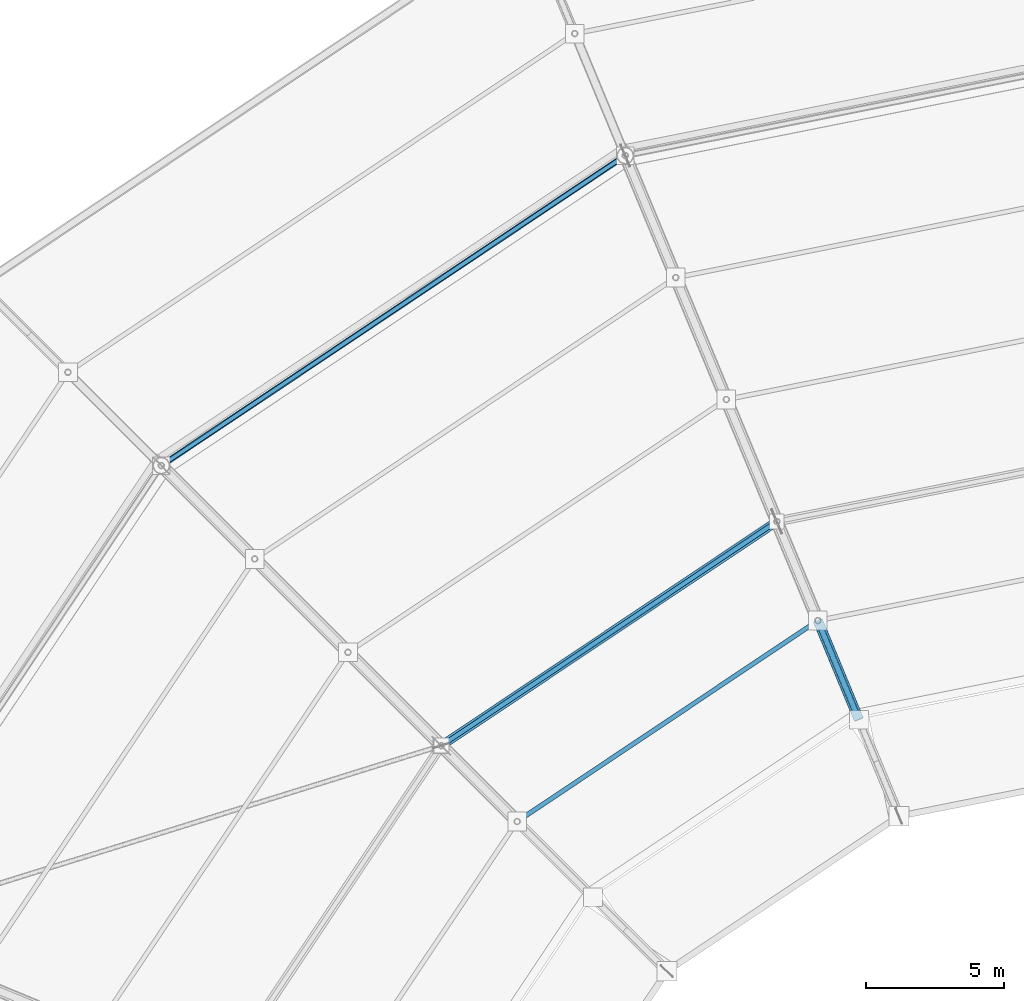
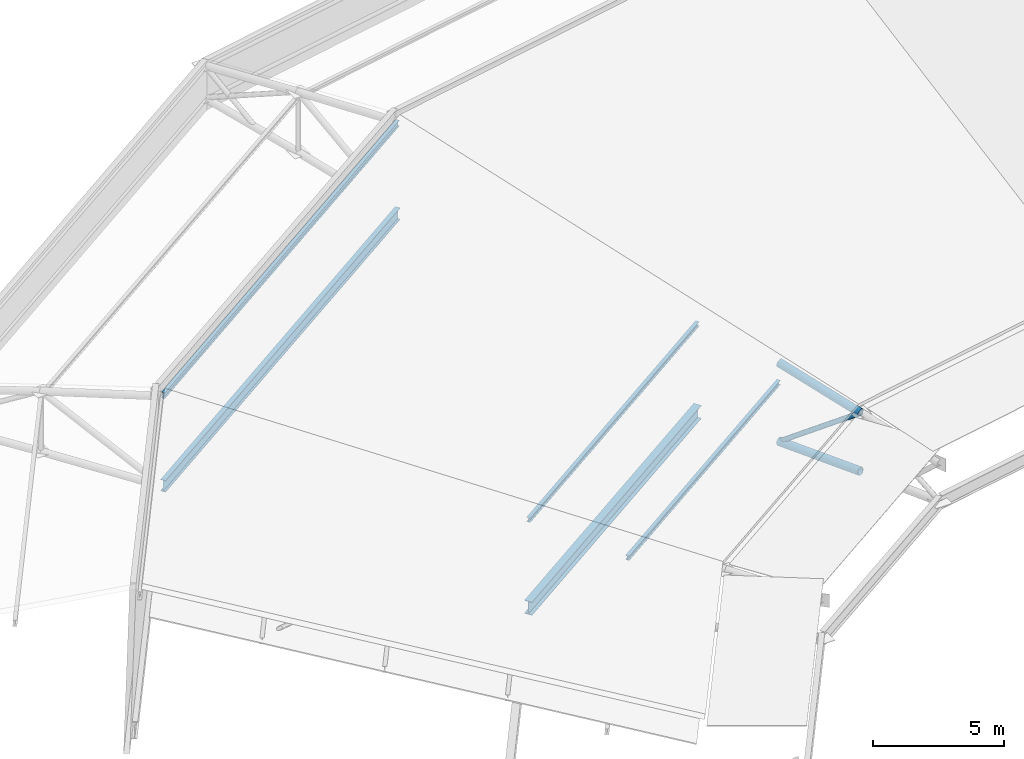
# One storey, part 51 of 146: 5 members, 3 beams.
"""IFC4 building model written with IfcOpenShell, lengths in metres."""

from ifc_helpers import new_model, si_unit, direction, frame, origin, origin_2d, place, context, subcontext, project, spatial, hollow_circle, i_section, extrude, material, material_profile, profile_set, type_object, element, save


model = new_model("IFC4")

# Units and contexts
model_context = context("Model", 3, precision=1e-05, world=origin(), true_north=direction((0.0, 1.0)))
body_context = subcontext(model_context, "Body", "Model", "MODEL_VIEW")
ifc_project = project(units=[si_unit("LENGTHUNIT", "METRE"), si_unit("AREAUNIT", "SQUARE_METRE"), si_unit("VOLUMEUNIT", "CUBIC_METRE"), si_unit("PLANEANGLEUNIT", "RADIAN"), si_unit("MASSUNIT", "GRAM", prefix="KILO")], contexts=[model_context])

# Site, building, storey
site_placement = place(None, origin())
site = spatial("IfcSite", under=ifc_project, at=site_placement, CompositionType="ELEMENT")
building_placement = place(site_placement, origin())
building = spatial("IfcBuilding", under=site, at=building_placement, Name="Candeia Ridge Stadium", CompositionType="ELEMENT")
storey_placement = place(building_placement, frame((0.0, 0.0, 31.800048828125)))
storey = spatial("IfcBuildingStorey", under=building, at=storey_placement, Name="RF", CompositionType="ELEMENT", Elevation=31.800048828125)

# Beams
ifc_material = material(Name="Steel ASTM A572 Grade 50", Category="steel")
ifc_material_profile_1 = material_profile(ifc_material, i_section(OverallWidth=0.14794921875, OverallDepth=0.26611328125, WebThickness=0.007568359375, FlangeThickness=0.012939453125, FilletRadius=0.010986328125, at=origin_2d()), Name="W250x44.8", Category="steel")
ifc_profile_set_1 = profile_set([ifc_material_profile_1], Name="Steel ASTM A572 Grade 50")
beam_type_1 = type_object("IfcBeamType", Name="Canopy Edge Spandrel W250x44.8", PredefinedType="SPANDREL", material=ifc_profile_set_1)
beam_1_placement = place(storey_placement, frame((51.067138671875, 143.01953125, 4.599853515625), z_axis=(-0.831468111774, -0.555572478713, 0.0), x_axis=(0.555572478713, -0.831468111774, 0.0)))
element("IfcBeam", 1, at=beam_1_placement, inside=storey, type_object=beam_type_1, Name="Roof crown cap ring beam bay 09", PredefinedType="SPANDREL", context=body_context, shape_type="SweptSolid", body=[
    extrude(i_section(OverallWidth=0.14794921875, OverallDepth=0.26611328125, WebThickness=0.007568359375, FlangeThickness=0.012939453125, FilletRadius=0.010986328125, at=origin_2d()), origin(), (0.0, 0.0, 1.0), 20.20947265625),
])
ifc_material_profile_2 = material_profile(ifc_material, i_section(OverallWidth=0.324951171875, OverallDepth=0.615966796875, WebThickness=0.013916015625, FlangeThickness=0.021484375, FilletRadius=0.014892578125, at=origin_2d()), Name="W610x174", Category="steel")
ifc_profile_set_2 = profile_set([ifc_material_profile_2], Name="Steel ASTM A572 Grade 50")
beam_type_2 = type_object("IfcBeamType", Name="Roof Compression Ring Beam W610x174", PredefinedType="BEAM", material=ifc_profile_set_2)
beam_2_placement = place(storey_placement, frame((56.577880859375, 129.715576171875, -2.6640625), z_axis=(-0.831470639349, -0.555568695933, 0.0), x_axis=(0.555568695933, -0.831470639349, 0.0)))
element("IfcBeam", 2, at=beam_2_placement, inside=storey, type_object=beam_type_2, Name="Roof compression ring beam bay 09", PredefinedType="BEAM", context=body_context, shape_type="SweptSolid", body=[
    extrude(i_section(OverallWidth=0.324951171875, OverallDepth=0.615966796875, WebThickness=0.013916015625, FlangeThickness=0.021484375, FilletRadius=0.014892578125, at=origin_2d()), origin(), (0.0, 0.0, 1.0), 14.5908203125),
])
ifc_material_profile_3 = material_profile(ifc_material, i_section(OverallWidth=0.2119140625, OverallDepth=0.5439453125, WebThickness=0.01318359375, FlangeThickness=0.021240234375, FilletRadius=0.013916015625, at=origin_2d()), Name="W530x123", Category="steel")
ifc_profile_set_3 = profile_set([ifc_material_profile_3], Name="Steel ASTM A572 Grade 50")
beam_type_3 = type_object("IfcBeamType", Name="Roof Perimeter Ring Beam W530x123", PredefinedType="BEAM", material=ifc_profile_set_3)
beam_3_placement = place(storey_placement, frame((51.067138671875, 143.01953125, 0.39990234375), z_axis=(-0.831468111774, -0.555572478713, 0.0), x_axis=(0.555572478713, -0.831468111774, 0.0)))
element("IfcBeam", 3, at=beam_3_placement, inside=storey, type_object=beam_type_3, Name="Roof perimeter ring beam bay 09", PredefinedType="BEAM", context=body_context, shape_type="SweptSolid", body=[
    extrude(i_section(OverallWidth=0.2119140625, OverallDepth=0.5439453125, WebThickness=0.01318359375, FlangeThickness=0.021240234375, FilletRadius=0.013916015625, at=origin_2d()), origin(), (0.0, 0.0, 1.0), 20.20947265625),
])

# Members
ifc_material_profile_4 = material_profile(ifc_material, i_section(OverallWidth=0.1650390625, OverallDepth=0.200927734375, WebThickness=0.006103515625, FlangeThickness=0.01025390625, FilletRadius=0.010009765625, at=origin_2d()), Name="W200x35.9", Category="steel")
ifc_profile_set_4 = profile_set([ifc_material_profile_4], Name="Steel ASTM A572 Grade 50")
member_type_1 = type_object("IfcMemberType", Name="Roof Purlin W200x35.9", PredefinedType="PURLIN", material=ifc_profile_set_4)
member_1_placement = place(storey_placement, frame((58.06201171875, 126.10693359375, 0.3544921875), z_axis=(-0.831465523002, -0.555576353042, 0.0), x_axis=(0.555576353042, -0.831465523002, 0.0)))
element("IfcMember", 4, at=member_1_placement, inside=storey, type_object=member_type_1, Name="Saddle roof steel purlin bay 09-1", PredefinedType="PURLIN", context=body_context, shape_type="SweptSolid", body=[
    extrude(i_section(OverallWidth=0.1650390625, OverallDepth=0.200927734375, WebThickness=0.006103515625, FlangeThickness=0.01025390625, FilletRadius=0.010009765625, at=origin_2d()), origin(), (0.0, 0.0, 1.0), 13.049072265625),
])
member_2_placement = place(storey_placement, frame((56.569580078125, 129.710205078125, 1.416015625), z_axis=(-0.831467264983, -0.555573746016, 0.0), x_axis=(0.555573746016, -0.831467264983, 0.0)))
element("IfcMember", 5, at=member_2_placement, inside=storey, type_object=member_type_1, Name="Saddle roof steel purlin bay 09-2", PredefinedType="PURLIN", context=body_context, shape_type="SweptSolid", body=[
    extrude(i_section(OverallWidth=0.1650390625, OverallDepth=0.200927734375, WebThickness=0.006103515625, FlangeThickness=0.01025390625, FilletRadius=0.010009765625, at=origin_2d()), origin(), (0.0, 0.0, 1.0), 14.57080078125),
])
ifc_material_profile_5 = material_profile(ifc_material, hollow_circle(Radius=0.109619140625, WallThickness=0.010009765625, at=origin_2d()), Name="CHS219x10", Category="steel")
ifc_profile_set_5 = profile_set([ifc_material_profile_5], Name="Steel ASTM A572 Grade 50")
member_type_2 = type_object("IfcMemberType", Name="Roof Truss Inner Web Brace CHS219x10", PredefinedType="BRACE", material=ifc_profile_set_5)
member_3_placement = place(storey_placement, frame((59.595947265625, 122.531494140625, 0.54296875), z_axis=(-0.303797893097, 0.73347834193, -0.608043059388), x_axis=(-0.923887897394, -0.382663237128, 0.0)))
element("IfcMember", 6, at=member_3_placement, inside=storey, type_object=member_type_2, Name="Roof cantilever truss RT-09 diagonal web 2", PredefinedType="BRACE", context=body_context, shape_type="SweptSolid", body=[
    extrude(hollow_circle(Radius=0.109619140625, WallThickness=0.010009765625, at=origin_2d()), origin(), (0.0, 0.0, 1.0), 4.91259765625),
])
ifc_material_profile_6 = material_profile(ifc_material, hollow_circle(Radius=0.177734375, WallThickness=0.01416015625, at=origin_2d()), Name="CHS355x14", Category="steel")
ifc_profile_set_6 = profile_set([ifc_material_profile_6], Name="Steel ASTM A572 Grade 50")
member_type_3 = type_object("IfcMemberType", Name="Roof Truss Tip Chord CHS355x14", PredefinedType="CHORD", material=ifc_profile_set_6)
member_4_placement = place(storey_placement, frame((59.595947265625, 122.531494140625, 0.54296875), z_axis=(-0.377116301866, 0.91049558306, 0.169649898599), x_axis=(-0.923887897394, -0.382663237128, 0.0)))
element("IfcMember", 7, at=member_4_placement, inside=storey, type_object=member_type_3, Name="Roof cantilever truss RT-09 top chord 2", PredefinedType="CHORD", context=body_context, shape_type="SweptSolid", body=[
    extrude(hollow_circle(Radius=0.177734375, WallThickness=0.01416015625, at=origin_2d()), origin(), (0.0, 0.0, 1.0), 3.95751953125),
])
member_5_placement = place(storey_placement, frame((59.595947265625, 122.531494140625, -2.17431640625), z_axis=(-0.381751056295, 0.921685561894, -0.069006202717), x_axis=(-0.923887897394, -0.382663237128, 0.0)))
element("IfcMember", 8, at=member_5_placement, inside=storey, type_object=member_type_3, Name="Roof cantilever truss RT-09 bottom chord 2", PredefinedType="CHORD", context=body_context, shape_type="SweptSolid", body=[
    extrude(hollow_circle(Radius=0.177734375, WallThickness=0.01416015625, at=origin_2d()), origin(), (0.0, 0.0, 1.0), 3.909423828125),
])

save(model, "model.ifc")
